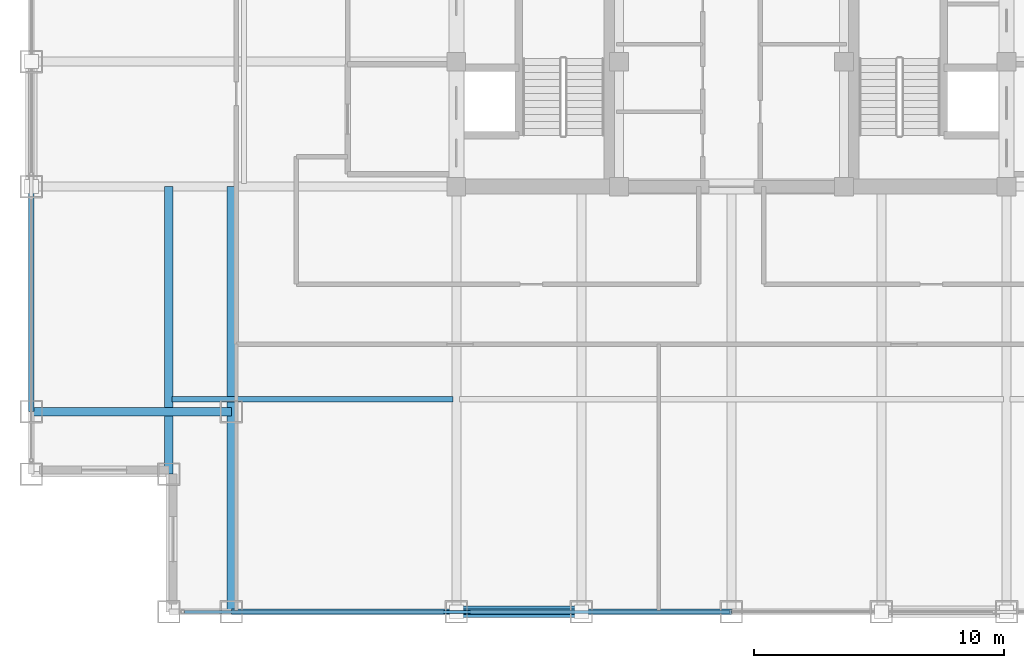
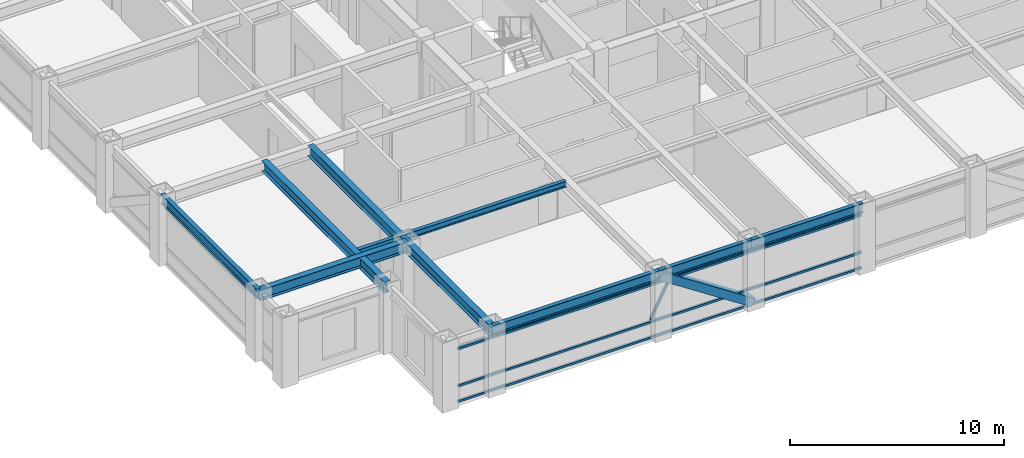
# One storey, part 3 of 22: 8 beams, 5 members, 1 element without a shape of its own.
"""IFC4 building model written with IfcOpenShell, lengths in metres."""

from ifc_helpers import new_model, si_unit, direction, frame, origin, origin_2d, place, context, subcontext, project, spatial, hollow_rectangle, i_section, extrude, source, transform, mapped, material, material_profile, profile_set, type_object, element, aggregate, save


model = new_model("IFC4")

# Units and contexts
model_context = context("Model", 3, precision=1e-05, world=origin(), true_north=direction((0.0, 1.0)))
body_context = subcontext(model_context, "Body", "Model", "MODEL_VIEW")
ifc_project = project(units=[si_unit("LENGTHUNIT", "METRE"), si_unit("AREAUNIT", "SQUARE_METRE"), si_unit("VOLUMEUNIT", "CUBIC_METRE"), si_unit("PLANEANGLEUNIT", "RADIAN"), si_unit("MASSUNIT", "GRAM", prefix="KILO")], contexts=[model_context])

# Site, building, storey
site_placement = place(None, origin())
site = spatial("IfcSite", under=ifc_project, at=site_placement, CompositionType="ELEMENT")
building_placement = place(site_placement, origin())
building = spatial("IfcBuilding", under=site, at=building_placement, Name="Khorayat Bourse Tower", CompositionType="ELEMENT")
storey_placement = place(building_placement, frame((0.0, 0.0, 301.5)))
storey = spatial("IfcBuildingStorey", under=building, at=storey_placement, Name="L71", CompositionType="ELEMENT", Elevation=301.5)

# Beam
ifc_material_1 = material(Name="Steel ASTM A992 Grade 50", Category="steel")
ifc_material_profile_1 = material_profile(ifc_material_1, i_section(OverallWidth=0.324951171875, OverallDepth=0.615966796875, WebThickness=0.013916015625, FlangeThickness=0.021484375, FilletRadius=0.01611328125, at=origin_2d()), Name="W610X174")
ifc_profile_set_1 = profile_set([ifc_material_profile_1], Name="Steel ASTM A992 Grade 50")
beam_type_1 = type_object("IfcBeamType", Name="BM-GIRD-610", PredefinedType="BEAM", material=ifc_profile_set_1)
shared_shape_1 = source(origin(), body_context, "Body", "SweptSolid", [
    extrude(i_section(OverallWidth=0.324951171875, OverallDepth=0.615966796875, WebThickness=0.013916015625, FlangeThickness=0.021484375, FilletRadius=0.01611328125, at=origin_2d()), origin(), (0.0, 0.0, 1.0), 17.0),
])
beam_1_placement = place(storey_placement, frame((-20.0, -28.0, 3.471923828125), z_axis=(0.0, 1.0, 0.0), x_axis=(-1.0, 0.0, 0.0)))
element("IfcBeam", 1, at=beam_1_placement, inside=storey, type_object=beam_type_1, Name="L71 BM-GIRD-610 BM-L71-CNRY-084", PredefinedType="BEAM", context=body_context, shape_type="MappedRepresentation", body=[
    mapped(shared_shape_1, transform((0.0, 0.0, 0.0), scale=1.0)),
])

# Member
ifc_material_2 = material(Name="Steel EN 10025-4 S460M", Category="steel")
ifc_material_profile_2 = material_profile(ifc_material_2, hollow_rectangle(XDim=0.449951171875, YDim=0.449951171875, WallThickness=0.02490234375, at=origin_2d()), Name="HSS 450x450x25")
ifc_profile_set_2 = profile_set([ifc_material_profile_2], Name="Steel EN 10025-4 S460M")
member_type_1 = type_object("IfcMemberType", Name="MBR-TUBE-450", PredefinedType="BRACE", material=ifc_profile_set_2)
shared_shape_2 = source(origin(), body_context, "Body", "SweptSolid", [
    extrude(hollow_rectangle(XDim=0.449951171875, YDim=0.449951171875, WallThickness=0.02490234375, at=origin_2d()), origin(), (0.0, 0.0, 1.0), 5.979736328125),
])
member_1_placement = place(storey_placement, frame((-11.0, -28.0, 3.530029296875), z_axis=(0.836141536525, 0.0, -0.548513747227), x_axis=(0.0, 1.0, 0.0)))
element("IfcMember", 2, at=member_1_placement, inside=storey, type_object=member_type_1, Name="L71 Perimeter Tube Brace 01", PredefinedType="BRACE", context=body_context, shape_type="MappedRepresentation", body=[
    mapped(shared_shape_2, transform((0.0, 0.0, 0.0), scale=1.0)),
])

# Beams
shared_shape_3 = source(origin(), body_context, "Body", "SweptSolid", [
    extrude(i_section(OverallWidth=0.324951171875, OverallDepth=0.615966796875, WebThickness=0.013916015625, FlangeThickness=0.021484375, FilletRadius=0.01611328125, at=origin_2d()), origin(), (0.0, 0.0, 1.0), 11.5),
])
beam_2_placement = place(storey_placement, frame((-22.5, -22.5, 3.471923828125), z_axis=(0.0, 1.0, 0.0), x_axis=(-1.0, 0.0, 0.0)))
element("IfcBeam", 3, at=beam_2_placement, inside=storey, type_object=beam_type_1, Name="L71 BM-GIRD-610 BM-L71-CNRY-088", PredefinedType="BEAM", context=body_context, shape_type="MappedRepresentation", body=[
    mapped(shared_shape_3, transform((0.0, 0.0, 0.0), scale=1.0)),
])
shared_shape_4 = source(origin(), body_context, "Body", "SweptSolid", [
    extrude(i_section(OverallWidth=0.324951171875, OverallDepth=0.615966796875, WebThickness=0.013916015625, FlangeThickness=0.021484375, FilletRadius=0.01611328125, at=origin_2d()), origin(), (0.0, 0.0, 1.0), 8.0),
])
beam_3_placement = place(storey_placement, frame((-28.0, -20.0, 3.471923828125), z_axis=(1.0, 0.0, 0.0), x_axis=(0.0, 1.0, 0.0)))
element("IfcBeam", 4, at=beam_3_placement, inside=storey, type_object=beam_type_1, Name="L71 BM-GIRD-610 BM-L71-CNRX-093", PredefinedType="BEAM", context=body_context, shape_type="MappedRepresentation", body=[
    mapped(shared_shape_4, transform((0.0, 0.0, 0.0), scale=1.0)),
])
ifc_material_profile_3 = material_profile(ifc_material_1, i_section(OverallWidth=0.202880859375, OverallDepth=0.346923828125, WebThickness=0.0078125, FlangeThickness=0.013427734375, FilletRadius=0.010009765625, at=origin_2d()), Name="W360X64")
ifc_profile_set_3 = profile_set([ifc_material_profile_3], Name="Steel ASTM A992 Grade 50")
beam_type_2 = type_object("IfcBeamType", Name="BM-JOIST-360", PredefinedType="JOIST", material=ifc_profile_set_3)
shared_shape_5 = source(origin(), body_context, "Body", "SweptSolid", [
    extrude(i_section(OverallWidth=0.202880859375, OverallDepth=0.346923828125, WebThickness=0.0078125, FlangeThickness=0.013427734375, FilletRadius=0.010009765625, at=origin_2d()), origin(), (0.0, 0.0, 1.0), 11.240234375),
])
beam_4_placement = place(storey_placement, frame((-22.3701171875, -19.5, 3.6064453125), z_axis=(1.0, 0.0, 0.0), x_axis=(0.0, 1.0, 0.0)))
element("IfcBeam", 5, at=beam_4_placement, inside=storey, type_object=beam_type_2, Name="L71 BM-JOIST-360 BM-L71-JSTX-096", PredefinedType="JOIST", context=body_context, shape_type="MappedRepresentation", body=[
    mapped(shared_shape_5, transform((0.0, 0.0, 0.0), scale=1.0)),
])
ifc_material_profile_4 = material_profile(ifc_material_1, i_section(OverallWidth=0.214111328125, OverallDepth=0.549072265625, WebThickness=0.0146484375, FlangeThickness=0.023681640625, FilletRadius=0.013916015625, at=origin_2d()), Name="W530X138")
ifc_profile_set_4 = profile_set([ifc_material_profile_4], Name="Steel ASTM A992 Grade 50")
beam_type_3 = type_object("IfcBeamType", Name="BM-SPAN-530", PredefinedType="SPANDREL", material=ifc_profile_set_4)
shared_shape_6 = source(origin(), body_context, "Body", "SweptSolid", [
    extrude(i_section(OverallWidth=0.214111328125, OverallDepth=0.549072265625, WebThickness=0.0146484375, FlangeThickness=0.023681640625, FilletRadius=0.013916015625, at=origin_2d()), origin(), (0.0, 0.0, 1.0), 9.0),
])
for number, where, z_axis, x_axis, name in (
    (6, (-20.0, -28.0, 3.505615234375), (1.0, 0.0, 0.0), (0.0, 1.0, 0.0), "L71 BM-SPAN-530 BM-L71-SPN-025"),
    (7, (-28.0, -20.0, 3.505615234375), (0.0, 1.0, 0.0), (-1.0, 0.0, 0.0), "L71 BM-SPAN-530 BM-L71-SPN-060"),
):
    element("IfcBeam", number, at=place(storey_placement, frame(where, z_axis=z_axis, x_axis=x_axis)), inside=storey, type_object=beam_type_3, Name=name, PredefinedType="SPANDREL", context=body_context, shape_type="MappedRepresentation", body=[
        mapped(shared_shape_6, transform((0.0, 0.0, 0.0), scale=1.0)),
    ])
shared_shape_7 = source(origin(), body_context, "Body", "SweptSolid", [
    extrude(i_section(OverallWidth=0.214111328125, OverallDepth=0.549072265625, WebThickness=0.0146484375, FlangeThickness=0.023681640625, FilletRadius=0.013916015625, at=origin_2d()), origin(), (0.0, 0.0, 1.0), 5.0),
])
beam_5_placement = place(storey_placement, frame((-11.0, -28.0, 3.505615234375), z_axis=(1.0, 0.0, 0.0), x_axis=(0.0, 1.0, 0.0)))
element("IfcBeam", 8, at=beam_5_placement, inside=storey, type_object=beam_type_3, Name="L71 BM-SPAN-530 BM-L71-SPN-026", PredefinedType="SPANDREL", context=body_context, shape_type="MappedRepresentation", body=[
    mapped(shared_shape_7, transform((0.0, 0.0, 0.0), scale=1.0)),
])
shared_shape_8 = source(origin(), body_context, "Body", "SweptSolid", [
    extrude(i_section(OverallWidth=0.214111328125, OverallDepth=0.549072265625, WebThickness=0.0146484375, FlangeThickness=0.023681640625, FilletRadius=0.013916015625, at=origin_2d()), origin(), (0.0, 0.0, 1.0), 6.0),
])
beam_6_placement = place(storey_placement, frame((-6.0, -28.0, 3.505615234375), z_axis=(1.0, 0.0, 0.0), x_axis=(0.0, 1.0, 0.0)))
element("IfcBeam", 9, at=beam_6_placement, inside=storey, type_object=beam_type_3, Name="L71 BM-SPAN-530 BM-L71-SPN-027", PredefinedType="SPANDREL", context=body_context, shape_type="MappedRepresentation", body=[
    mapped(shared_shape_8, transform((0.0, 0.0, 0.0), scale=1.0)),
])

# Curtain wall, members
ifc_material_3 = material(Name="Aluminium EN AW-6063 T6", Category="aluminium")
curtain_wall_type = type_object("IfcCurtainWallType", Name="CW-SYS-04", PredefinedType="NOTDEFINED", material=ifc_material_3)
curtain_wall_placement = place(storey_placement, origin())
curtain_wall = element("IfcCurtainWall", 10, at=curtain_wall_placement, inside=storey, type_object=curtain_wall_type, Name="L71 Curtain Wall CW-L71-S1", PredefinedType="NOTDEFINED")
ifc_material_profile_5 = material_profile(ifc_material_3, hollow_rectangle(XDim=0.1201171875, YDim=0.1201171875, WallThickness=0.0048828125, at=origin_2d()), Name="ALU 120x120x5")
ifc_profile_set_5 = profile_set([ifc_material_profile_5], Name="Aluminium EN AW-6063 T6")
member_type_2 = type_object("IfcMemberType", Name="CWM-DIAG-120", PredefinedType="MULLION", material=ifc_profile_set_5)
shared_shape_9 = source(origin(), body_context, "Body", "SweptSolid", [
    extrude(hollow_rectangle(XDim=0.1201171875, YDim=0.1201171875, WallThickness=0.0048828125, at=origin_2d()), origin(), (0.0, 0.0, 1.0), 2.0791015625),
])
member_2_placement = place(storey_placement, frame((-11.4541015625, -28.0, 1.090087890625), z_axis=(0.465717394116, 0.0, 0.884933505309), x_axis=(0.0, 1.0, 0.0)))
member_2 = element("IfcMember", 11, at=member_2_placement, type_object=member_type_2, Name="CW-L71-S1 Faceted Diagonal Mullion 1", PredefinedType="MULLION", context=body_context, shape_type="MappedRepresentation", body=[
    mapped(shared_shape_9, transform((0.0, 0.0, 0.0), scale=1.0)),
])
ifc_material_profile_6 = material_profile(ifc_material_3, hollow_rectangle(XDim=0.1201171875, YDim=0.1201171875, WallThickness=0.0048828125, at=origin_2d()), Name="ALU 120x120x5")
ifc_profile_set_6 = profile_set([ifc_material_profile_6], Name="Aluminium EN AW-6063 T6")
member_type_3 = type_object("IfcMemberType", Name="CWT-HORZ-120", PredefinedType="USERDEFINED", material=ifc_profile_set_6)
shared_shape_10 = source(origin(), body_context, "Body", "SweptSolid", [
    extrude(hollow_rectangle(XDim=0.1201171875, YDim=0.1201171875, WallThickness=0.0048828125, at=origin_2d()), origin(), (0.0, 0.0, 1.0), 21.81982421875),
])
member_3_placement = place(storey_placement, frame((-21.8798828125, -28.0, 0.06005859375), z_axis=(1.0, 0.0, 0.0), x_axis=(0.0, 1.0, 0.0)))
member_3 = element("IfcMember", 12, at=member_3_placement, type_object=member_type_3, Name="CW-L71-S1 Horizontal Transom 1-1", ObjectType="TRANSOM", PredefinedType="USERDEFINED", context=body_context, shape_type="MappedRepresentation", body=[
    mapped(shared_shape_10, transform((0.0, 0.0, 0.0), scale=1.0)),
])
member_4_placement = place(storey_placement, frame((-21.8798828125, -28.0, 0.949951171875), z_axis=(1.0, 0.0, 0.0), x_axis=(0.0, 1.0, 0.0)))
member_4 = element("IfcMember", 13, at=member_4_placement, type_object=member_type_3, Name="CW-L71-S1 Horizontal Transom 1-2", ObjectType="TRANSOM", PredefinedType="USERDEFINED", context=body_context, shape_type="MappedRepresentation", body=[
    mapped(shared_shape_10, transform((0.0, 0.0, 0.0), scale=1.0)),
])
member_5_placement = place(storey_placement, frame((-21.8798828125, -28.0, 3.070068359375), z_axis=(1.0, 0.0, 0.0), x_axis=(0.0, 1.0, 0.0)))
member_5 = element("IfcMember", 14, at=member_5_placement, type_object=member_type_3, Name="CW-L71-S1 Horizontal Transom 1-3", ObjectType="TRANSOM", PredefinedType="USERDEFINED", context=body_context, shape_type="MappedRepresentation", body=[
    mapped(shared_shape_10, transform((0.0, 0.0, 0.0), scale=1.0)),
])
aggregate(curtain_wall, [member_3, member_4, member_5, member_2])

save(model, "model.ifc")
